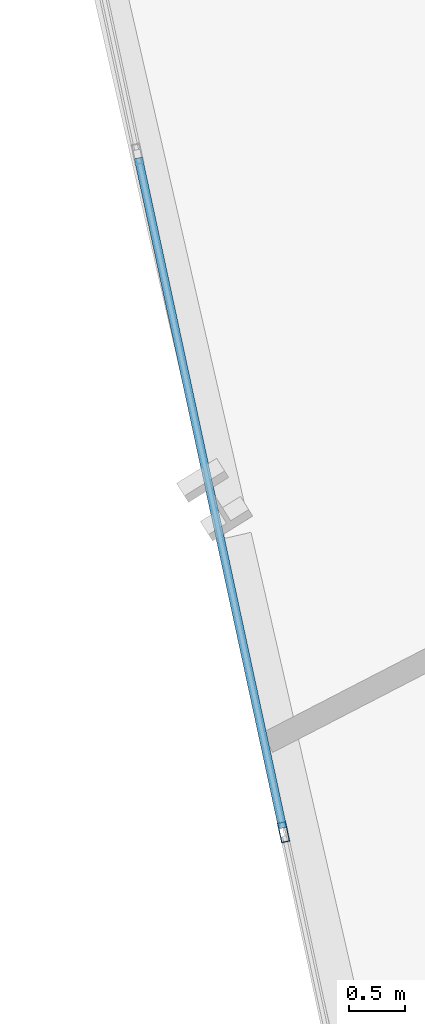
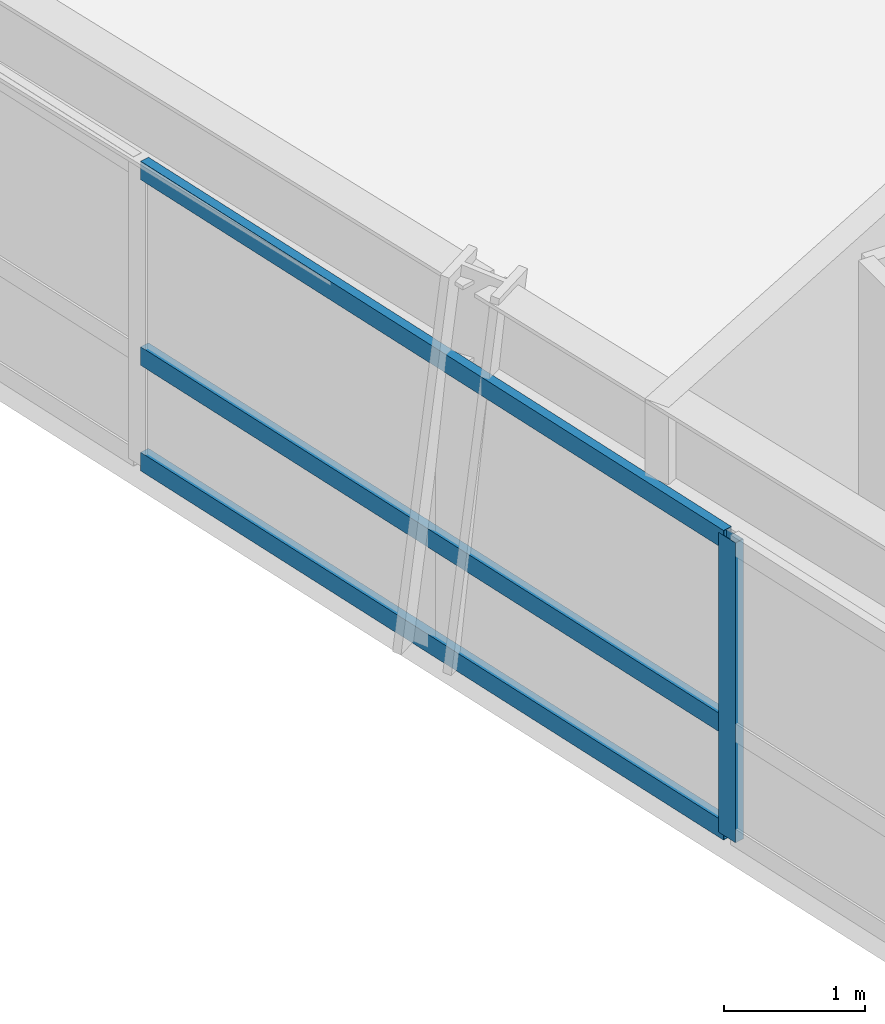
# One storey, part 4 of 24: 4 members, 1 element without a shape of its own.
"""IFC4 building model written with IfcOpenShell, lengths in metres."""

from ifc_helpers import new_model, si_unit, direction, frame, origin, origin_2d, place, context, subcontext, project, spatial, hollow_rectangle, extrude, source, transform, mapped, material, material_profile, profile_set, type_object, element, aggregate, save


model = new_model("IFC4")

# Units and contexts
model_context = context("Model", 3, precision=1e-05, world=origin(), true_north=direction((0.0, 1.0)))
body_context = subcontext(model_context, "Body", "Model", "MODEL_VIEW")
ifc_project = project(units=[si_unit("LENGTHUNIT", "METRE"), si_unit("AREAUNIT", "SQUARE_METRE"), si_unit("VOLUMEUNIT", "CUBIC_METRE"), si_unit("PLANEANGLEUNIT", "RADIAN"), si_unit("MASSUNIT", "GRAM", prefix="KILO")], contexts=[model_context])

# Site, building, storey
site_placement = place(None, origin())
site = spatial("IfcSite", under=ifc_project, at=site_placement, CompositionType="ELEMENT")
building_placement = place(site_placement, origin())
building = spatial("IfcBuilding", under=site, at=building_placement, Name="Olszyna Solenne Hotel", CompositionType="ELEMENT")
storey_placement = place(building_placement, frame((0.0, 0.0, 29.300048828125)))
storey = spatial("IfcBuildingStorey", under=building, at=storey_placement, Name="L06", CompositionType="ELEMENT", Elevation=29.300048828125)

# Curtain wall, members
ifc_material = material(Name="Anodised bronze aluminium", Category="aluminium")
curtain_wall_type = type_object("IfcCurtainWallType", Name="CW-SYS-2", PredefinedType="NOTDEFINED", material=ifc_material)
curtain_wall_placement = place(storey_placement, origin())
curtain_wall = element("IfcCurtainWall", 1, at=curtain_wall_placement, inside=storey, type_object=curtain_wall_type, Name="Unitised curtain wall CW-SYS-2 CW-L06-01", PredefinedType="NOTDEFINED")
ifc_material_profile_1 = material_profile(ifc_material, hollow_rectangle(XDim=0.074951171875, YDim=0.179931640625, WallThickness=0.00439453125, at=origin_2d()), Name="MULL 180x75x4.5", Category="load-bearing")
ifc_profile_set_1 = profile_set([ifc_material_profile_1], Name="Anodised bronze aluminium")
member_type_1 = type_object("IfcMemberType", Name="CW-M2", PredefinedType="MULLION", material=ifc_profile_set_1)
shared_shape_1 = source(origin(), body_context, "Body", "SweptSolid", [
    extrude(hollow_rectangle(XDim=0.074951171875, YDim=0.179931640625, WallThickness=0.00439453125, at=origin_2d()), origin(), (0.0, 0.0, 1.0), 2.592041015625),
])
member_1_placement = place(storey_placement, frame((17.49365234375, 15.124755859375, 0.0), z_axis=(0.0, 0.0, 1.0), x_axis=(0.977570252716, 0.21060959381, 0.0)))
member_1 = element("IfcMember", 2, at=member_1_placement, type_object=member_type_1, Name="Curtain-wall mullion CW-M2 CM-L06-01-03", PredefinedType="MULLION", context=body_context, shape_type="MappedRepresentation", body=[
    mapped(shared_shape_1, transform((0.0, 0.0, 0.0), x_axis=(1.0, 0.0, 0.0), y_axis=(0.0, 1.0, 0.0), z_axis=(0.0, 0.0, 1.0), scale=1.0)),
])
ifc_material_profile_2 = material_profile(ifc_material, hollow_rectangle(XDim=0.074951171875, YDim=0.159912109375, WallThickness=0.00390625, at=origin_2d()), Name="TRAN 160x75x4", Category="load-bearing")
ifc_profile_set_2 = profile_set([ifc_material_profile_2], Name="Anodised bronze aluminium")
member_type_2 = type_object("IfcMemberType", Name="CW-T1", PredefinedType="USERDEFINED", material=ifc_profile_set_2)
shared_shape_2 = source(origin(), body_context, "Body", "SweptSolid", [
    extrude(hollow_rectangle(XDim=0.074951171875, YDim=0.159912109375, WallThickness=0.00390625, at=origin_2d()), origin(), (0.0, 0.0, 1.0), 6.152099609375),
])
member_2_placement = place(storey_placement, frame((16.190185546875, 21.175537109375, 0.037353515625), z_axis=(0.210602168574, -0.977571852393, 0.0), x_axis=(0.977571852393, 0.210602168574, 0.0)))
member_2 = element("IfcMember", 3, at=member_2_placement, type_object=member_type_2, Name="Curtain-wall transom CW-T1 CT-L06-01-04", ObjectType="TRANSOM", PredefinedType="USERDEFINED", context=body_context, shape_type="MappedRepresentation", body=[
    mapped(shared_shape_2, transform((0.0, 0.0, 0.0), x_axis=(1.0, 0.0, 0.0), y_axis=(0.0, 1.0, 0.0), z_axis=(0.0, 0.0, 1.0), scale=1.0)),
])
member_3_placement = place(storey_placement, frame((16.190185546875, 21.175537109375, 0.949951171875), z_axis=(0.210602168574, -0.977571852393, 0.0), x_axis=(0.977571852393, 0.210602168574, 0.0)))
member_3 = element("IfcMember", 4, at=member_3_placement, type_object=member_type_2, Name="Curtain-wall transom CW-T1 CT-L06-01-05", ObjectType="TRANSOM", PredefinedType="USERDEFINED", context=body_context, shape_type="MappedRepresentation", body=[
    mapped(shared_shape_2, transform((0.0, 0.0, 0.0), x_axis=(1.0, 0.0, 0.0), y_axis=(0.0, 1.0, 0.0), z_axis=(0.0, 0.0, 1.0), scale=1.0)),
])
member_4_placement = place(storey_placement, frame((16.190185546875, 21.175537109375, 2.554443359375), z_axis=(0.210602168574, -0.977571852393, 0.0), x_axis=(0.977571852393, 0.210602168574, 0.0)))
member_4 = element("IfcMember", 5, at=member_4_placement, type_object=member_type_2, Name="Curtain-wall transom CW-T1 CT-L06-01-06", ObjectType="TRANSOM", PredefinedType="USERDEFINED", context=body_context, shape_type="MappedRepresentation", body=[
    mapped(shared_shape_2, transform((0.0, 0.0, 0.0), x_axis=(1.0, 0.0, 0.0), y_axis=(0.0, 1.0, 0.0), z_axis=(0.0, 0.0, 1.0), scale=1.0)),
])
aggregate(curtain_wall, [member_1, member_2, member_3, member_4])

save(model, "model.ifc")
